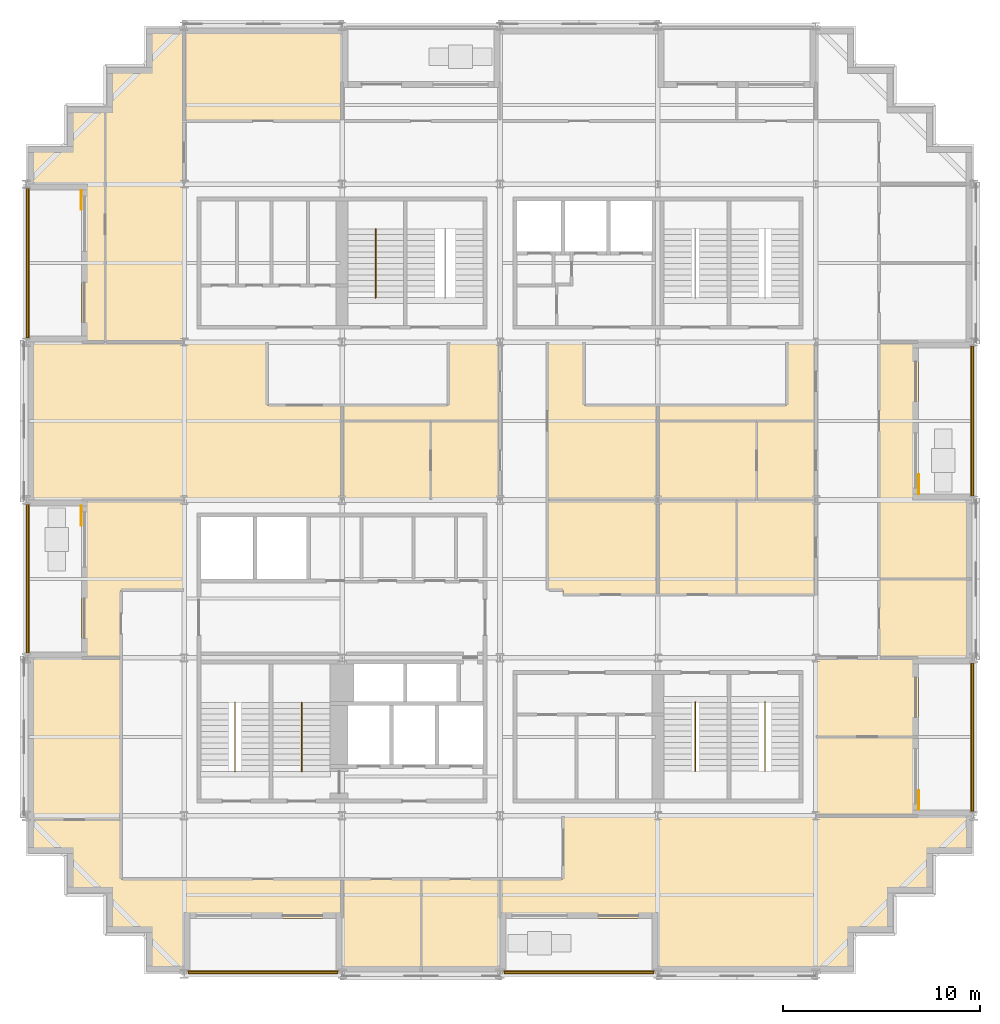
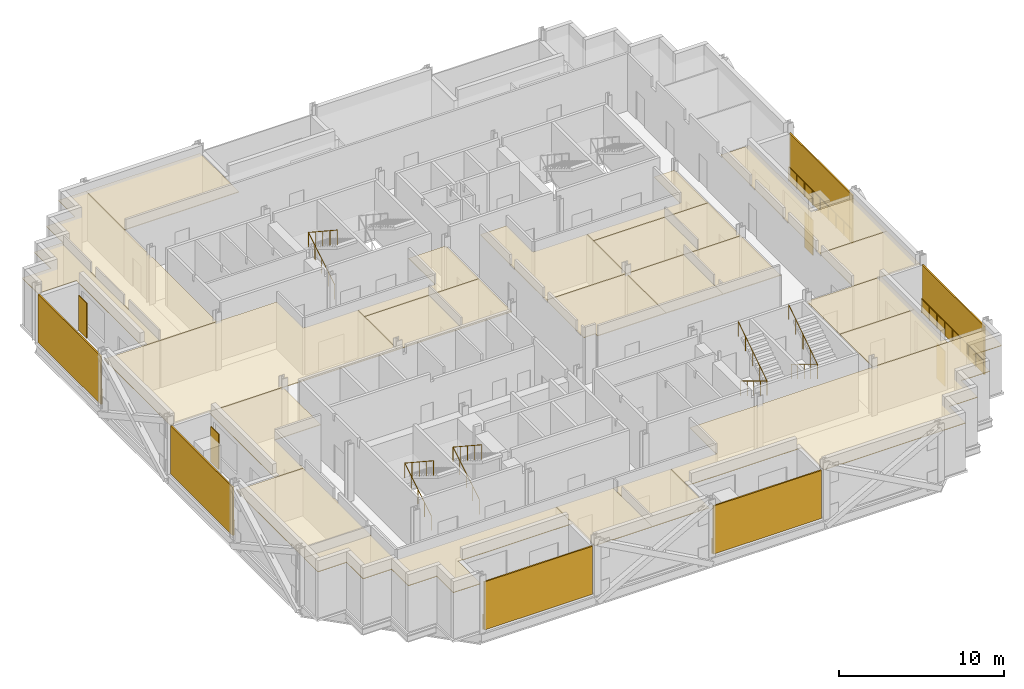
# One storey, part 13 of 15: 24 coverings, 11 railings, 10 shading devices.
"""IFC4 building model written with IfcOpenShell, lengths in metres."""

from ifc_helpers import new_model, si_unit, direction, frame, origin, origin_2d, place, context, subcontext, project, spatial, polyline, rectangle, circle, outline, extrude, material, layer, layer_set, type_object, element, save


model = new_model("IFC4")

# Units and contexts
model_context = context("Model", 3, precision=1e-05, world=origin(), true_north=direction((0.0, 1.0)))
body_context = subcontext(model_context, "Body", "Model", "MODEL_VIEW")
ifc_project = project(units=[si_unit("LENGTHUNIT", "METRE"), si_unit("AREAUNIT", "SQUARE_METRE"), si_unit("VOLUMEUNIT", "CUBIC_METRE"), si_unit("PLANEANGLEUNIT", "RADIAN"), si_unit("MASSUNIT", "GRAM", prefix="KILO")], contexts=[model_context])

# Site, building, storey
site_placement = place(None, origin())
site = spatial("IfcSite", under=ifc_project, at=site_placement, CompositionType="ELEMENT")
building_placement = place(site_placement, origin())
building = spatial("IfcBuilding", under=site, at=building_placement, Name="Immortelle Media Tower", CompositionType="ELEMENT")
storey_placement = place(building_placement, frame((0.0, 0.0, 92.0)))
storey = spatial("IfcBuildingStorey", under=building, at=storey_placement, Name="L17", CompositionType="ELEMENT", Elevation=92.0)

# Railings
ifc_material_1 = material(Name="Powder-coated aluminium fretwork panel, laminated glass backing", Category="aluminium")
railing_type_1 = type_object("IfcRailingType", Name="Fretwork balustrade 1100", PredefinedType="BALUSTRADE", material=ifc_material_1)
railing_1_placement = place(storey_placement, frame((0.139892578125, 39.800537109375, 0.0)))
element("IfcRailing", 1, at=railing_1_placement, inside=storey, type_object=railing_type_1, Name="Fretwork balustrade L17 W0", PredefinedType="BALUSTRADE", context=body_context, shape_type="SweptSolid", body=[
    extrude(circle(Radius=0.02490234375, at=origin_2d()), frame((0.0, 0.0, 1.0751953125), z_axis=(0.0, -1.0, 0.0), x_axis=(1.0, 0.0, 0.0)), (0.0, 0.0, 1.0), 7.58349609375),
    extrude(circle(Radius=0.02001953125, at=origin_2d()), origin(), (0.0, 0.0, 1.0), 1.050048828125),
    extrude(circle(Radius=0.02001953125, at=origin_2d()), frame((0.0, -0.947998046875, 0.0)), (0.0, 0.0, 1.0), 1.050048828125),
    extrude(circle(Radius=0.02001953125, at=origin_2d()), frame((0.0, -1.89599609375, 0.0)), (0.0, 0.0, 1.0), 1.050048828125),
    extrude(circle(Radius=0.02001953125, at=origin_2d()), frame((0.0, -2.84375, 0.0)), (0.0, 0.0, 1.0), 1.050048828125),
    extrude(circle(Radius=0.02001953125, at=origin_2d()), frame((0.0, -3.791748046875, 0.0)), (0.0, 0.0, 1.0), 1.050048828125),
    extrude(circle(Radius=0.02001953125, at=origin_2d()), frame((0.0, -4.73974609375, 0.0)), (0.0, 0.0, 1.0), 1.050048828125),
    extrude(circle(Radius=0.02001953125, at=origin_2d()), frame((0.0, -5.6875, 0.0)), (0.0, 0.0, 1.0), 1.050048828125),
    extrude(circle(Radius=0.02001953125, at=origin_2d()), frame((0.0, -6.635498046875, 0.0)), (0.0, 0.0, 1.0), 1.050048828125),
    extrude(circle(Radius=0.02001953125, at=origin_2d()), frame((0.0, -7.58349609375, 0.0)), (0.0, 0.0, 1.0), 1.050048828125),
])
railing_2_placement = place(storey_placement, frame((0.139892578125, 23.782958984375, 0.0)))
element("IfcRailing", 2, at=railing_2_placement, inside=storey, type_object=railing_type_1, Name="Fretwork balustrade L17 W2", PredefinedType="BALUSTRADE", context=body_context, shape_type="SweptSolid", body=[
    extrude(circle(Radius=0.02490234375, at=origin_2d()), frame((0.0, 0.0, 1.0751953125), z_axis=(0.0, -1.0, 0.0), x_axis=(1.0, 0.0, 0.0)), (0.0, 0.0, 1.0), 7.533935546875),
    extrude(circle(Radius=0.02001953125, at=origin_2d()), origin(), (0.0, 0.0, 1.0), 1.050048828125),
    extrude(circle(Radius=0.02001953125, at=origin_2d()), frame((0.0, -0.941650390625, 0.0)), (0.0, 0.0, 1.0), 1.050048828125),
    extrude(circle(Radius=0.02001953125, at=origin_2d()), frame((0.0, -1.883544921875, 0.0)), (0.0, 0.0, 1.0), 1.050048828125),
    extrude(circle(Radius=0.02001953125, at=origin_2d()), frame((0.0, -2.8251953125, 0.0)), (0.0, 0.0, 1.0), 1.050048828125),
    extrude(circle(Radius=0.02001953125, at=origin_2d()), frame((0.0, -3.76708984375, 0.0)), (0.0, 0.0, 1.0), 1.050048828125),
    extrude(circle(Radius=0.02001953125, at=origin_2d()), frame((0.0, -4.708740234375, 0.0)), (0.0, 0.0, 1.0), 1.050048828125),
    extrude(circle(Radius=0.02001953125, at=origin_2d()), frame((0.0, -5.650390625, 0.0)), (0.0, 0.0, 1.0), 1.050048828125),
    extrude(circle(Radius=0.02001953125, at=origin_2d()), frame((0.0, -6.59228515625, 0.0)), (0.0, 0.0, 1.0), 1.050048828125),
    extrude(circle(Radius=0.02001953125, at=origin_2d()), frame((0.0, -7.533935546875, 0.0)), (0.0, 0.0, 1.0), 1.050048828125),
])
railing_3_placement = place(storey_placement, frame((8.20947265625, 0.139892578125, 0.0)))
element("IfcRailing", 3, at=railing_3_placement, inside=storey, type_object=railing_type_1, Name="Fretwork balustrade L17 S0", PredefinedType="BALUSTRADE", context=body_context, shape_type="SweptSolid", body=[
    extrude(circle(Radius=0.02490234375, at=origin_2d()), frame((0.0, 0.0, 1.0751953125), z_axis=(1.0, 0.0, 0.0), x_axis=(0.0, 1.0, 0.0)), (0.0, 0.0, 1.0), 7.574462890625),
    extrude(circle(Radius=0.02001953125, at=origin_2d()), origin(), (0.0, 0.0, 1.0), 1.050048828125),
    extrude(circle(Radius=0.02001953125, at=origin_2d()), frame((0.94677734375, 0.0, 0.0)), (0.0, 0.0, 1.0), 1.050048828125),
    extrude(circle(Radius=0.02001953125, at=origin_2d()), frame((1.8935546875, 0.0, 0.0)), (0.0, 0.0, 1.0), 1.050048828125),
    extrude(circle(Radius=0.02001953125, at=origin_2d()), frame((2.84033203125, 0.0, 0.0)), (0.0, 0.0, 1.0), 1.050048828125),
    extrude(circle(Radius=0.02001953125, at=origin_2d()), frame((3.787109375, 0.0, 0.0)), (0.0, 0.0, 1.0), 1.050048828125),
    extrude(circle(Radius=0.02001953125, at=origin_2d()), frame((4.734130859375, 0.0, 0.0)), (0.0, 0.0, 1.0), 1.050048828125),
    extrude(circle(Radius=0.02001953125, at=origin_2d()), frame((5.680908203125, 0.0, 0.0)), (0.0, 0.0, 1.0), 1.050048828125),
    extrude(circle(Radius=0.02001953125, at=origin_2d()), frame((6.627685546875, 0.0, 0.0)), (0.0, 0.0, 1.0), 1.050048828125),
    extrude(circle(Radius=0.02001953125, at=origin_2d()), frame((7.574462890625, 0.0, 0.0)), (0.0, 0.0, 1.0), 1.050048828125),
])
railing_4_placement = place(storey_placement, frame((24.216064453125, 0.139892578125, 0.0)))
element("IfcRailing", 4, at=railing_4_placement, inside=storey, type_object=railing_type_1, Name="Fretwork balustrade L17 S2", PredefinedType="BALUSTRADE", context=body_context, shape_type="SweptSolid", body=[
    extrude(circle(Radius=0.02490234375, at=origin_2d()), frame((0.0, 0.0, 1.0751953125), z_axis=(1.0, 0.0, 0.0), x_axis=(0.0, 1.0, 0.0)), (0.0, 0.0, 1.0), 7.56787109375),
    extrude(circle(Radius=0.02001953125, at=origin_2d()), origin(), (0.0, 0.0, 1.0), 1.050048828125),
    extrude(circle(Radius=0.02001953125, at=origin_2d()), frame((0.946044921875, 0.0, 0.0)), (0.0, 0.0, 1.0), 1.050048828125),
    extrude(circle(Radius=0.02001953125, at=origin_2d()), frame((1.89208984375, 0.0, 0.0)), (0.0, 0.0, 1.0), 1.050048828125),
    extrude(circle(Radius=0.02001953125, at=origin_2d()), frame((2.837890625, 0.0, 0.0)), (0.0, 0.0, 1.0), 1.050048828125),
    extrude(circle(Radius=0.02001953125, at=origin_2d()), frame((3.783935546875, 0.0, 0.0)), (0.0, 0.0, 1.0), 1.050048828125),
    extrude(circle(Radius=0.02001953125, at=origin_2d()), frame((4.72998046875, 0.0, 0.0)), (0.0, 0.0, 1.0), 1.050048828125),
    extrude(circle(Radius=0.02001953125, at=origin_2d()), frame((5.67578125, 0.0, 0.0)), (0.0, 0.0, 1.0), 1.050048828125),
    extrude(circle(Radius=0.02001953125, at=origin_2d()), frame((6.621826171875, 0.0, 0.0)), (0.0, 0.0, 1.0), 1.050048828125),
    extrude(circle(Radius=0.02001953125, at=origin_2d()), frame((7.56787109375, 0.0, 0.0)), (0.0, 0.0, 1.0), 1.050048828125),
])
railing_5_placement = place(storey_placement, frame((47.860107421875, 8.2275390625, 0.0)))
element("IfcRailing", 5, at=railing_5_placement, inside=storey, type_object=railing_type_1, Name="Fretwork balustrade L17 E0", PredefinedType="BALUSTRADE", context=body_context, shape_type="SweptSolid", body=[
    extrude(circle(Radius=0.02490234375, at=origin_2d()), frame((0.0, 0.0, 1.0751953125), z_axis=(0.0, 1.0, 0.0), x_axis=(-1.0, 0.0, 0.0)), (0.0, 0.0, 1.0), 7.5234375),
    extrude(circle(Radius=0.02001953125, at=origin_2d()), origin(), (0.0, 0.0, 1.0), 1.050048828125),
    extrude(circle(Radius=0.02001953125, at=origin_2d()), frame((0.0, 0.9404296875, 0.0)), (0.0, 0.0, 1.0), 1.050048828125),
    extrude(circle(Radius=0.02001953125, at=origin_2d()), frame((0.0, 1.880859375, 0.0)), (0.0, 0.0, 1.0), 1.050048828125),
    extrude(circle(Radius=0.02001953125, at=origin_2d()), frame((0.0, 2.8212890625, 0.0)), (0.0, 0.0, 1.0), 1.050048828125),
    extrude(circle(Radius=0.02001953125, at=origin_2d()), frame((0.0, 3.76171875, 0.0)), (0.0, 0.0, 1.0), 1.050048828125),
    extrude(circle(Radius=0.02001953125, at=origin_2d()), frame((0.0, 4.7021484375, 0.0)), (0.0, 0.0, 1.0), 1.050048828125),
    extrude(circle(Radius=0.02001953125, at=origin_2d()), frame((0.0, 5.642578125, 0.0)), (0.0, 0.0, 1.0), 1.050048828125),
    extrude(circle(Radius=0.02001953125, at=origin_2d()), frame((0.0, 6.5830078125, 0.0)), (0.0, 0.0, 1.0), 1.050048828125),
    extrude(circle(Radius=0.02001953125, at=origin_2d()), frame((0.0, 7.5234375, 0.0)), (0.0, 0.0, 1.0), 1.050048828125),
])
railing_6_placement = place(storey_placement, frame((47.860107421875, 24.193115234375, 0.0)))
element("IfcRailing", 6, at=railing_6_placement, inside=storey, type_object=railing_type_1, Name="Fretwork balustrade L17 E2", PredefinedType="BALUSTRADE", context=body_context, shape_type="SweptSolid", body=[
    extrude(circle(Radius=0.02490234375, at=origin_2d()), frame((0.0, 0.0, 1.0751953125), z_axis=(0.0, 1.0, 0.0), x_axis=(-1.0, 0.0, 0.0)), (0.0, 0.0, 1.0), 7.61376953125),
    extrude(circle(Radius=0.02001953125, at=origin_2d()), origin(), (0.0, 0.0, 1.0), 1.050048828125),
    extrude(circle(Radius=0.02001953125, at=origin_2d()), frame((0.0, 0.95166015625, 0.0)), (0.0, 0.0, 1.0), 1.050048828125),
    extrude(circle(Radius=0.02001953125, at=origin_2d()), frame((0.0, 1.9033203125, 0.0)), (0.0, 0.0, 1.0), 1.050048828125),
    extrude(circle(Radius=0.02001953125, at=origin_2d()), frame((0.0, 2.855224609375, 0.0)), (0.0, 0.0, 1.0), 1.050048828125),
    extrude(circle(Radius=0.02001953125, at=origin_2d()), frame((0.0, 3.806884765625, 0.0)), (0.0, 0.0, 1.0), 1.050048828125),
    extrude(circle(Radius=0.02001953125, at=origin_2d()), frame((0.0, 4.758544921875, 0.0)), (0.0, 0.0, 1.0), 1.050048828125),
    extrude(circle(Radius=0.02001953125, at=origin_2d()), frame((0.0, 5.71044921875, 0.0)), (0.0, 0.0, 1.0), 1.050048828125),
    extrude(circle(Radius=0.02001953125, at=origin_2d()), frame((0.0, 6.662109375, 0.0)), (0.0, 0.0, 1.0), 1.050048828125),
    extrude(circle(Radius=0.02001953125, at=origin_2d()), frame((0.0, 7.61376953125, 0.0)), (0.0, 0.0, 1.0), 1.050048828125),
])

# Shading devices
ifc_material_2 = material(Name="Pale aluminium louvre blades", Category="aluminium")
ifc_layer_1 = layer(ifc_material_2, 0.10009765625)
ifc_layer_set_1 = layer_set([ifc_layer_1], Name="Pale aluminium louvre blades")
shading_device_type_1 = type_object("IfcShadingDeviceType", Name="Jalousie screen 100", PredefinedType="JALOUSIE", material=ifc_layer_set_1)
shading_device_1_placement = place(storey_placement, frame((0.050048828125, 36.0087890625, 0.0), z_axis=(0.0, 0.0, 1.0), x_axis=(0.0, -1.0, 0.0)))
element("IfcShadingDevice", 7, at=shading_device_1_placement, inside=storey, type_object=shading_device_type_1, Name="Jalousie screen L17 W0", PredefinedType="JALOUSIE", context=body_context, shape_type="SweptSolid", body=[
    extrude(rectangle(XDim=7.58349609375, YDim=0.10009765625, at=origin_2d()), origin(), (0.0, 0.0, 1.0), 3.556884765625),
])
shading_device_2_placement = place(storey_placement, frame((0.050048828125, 20.01611328125, 0.0), z_axis=(0.0, 0.0, 1.0), x_axis=(0.0, -1.0, 0.0)))
element("IfcShadingDevice", 8, at=shading_device_2_placement, inside=storey, type_object=shading_device_type_1, Name="Jalousie screen L17 W2", PredefinedType="JALOUSIE", context=body_context, shape_type="SweptSolid", body=[
    extrude(rectangle(XDim=7.533935546875, YDim=0.10009765625, at=origin_2d()), origin(), (0.0, 0.0, 1.0), 3.556884765625),
])
shading_device_3_placement = place(storey_placement, frame((11.996826171875, 0.050048828125, 0.0), z_axis=(0.0, 0.0, 1.0), x_axis=(1.0, 0.0, 0.0)))
element("IfcShadingDevice", 9, at=shading_device_3_placement, inside=storey, type_object=shading_device_type_1, Name="Jalousie screen L17 S0", PredefinedType="JALOUSIE", context=body_context, shape_type="SweptSolid", body=[
    extrude(rectangle(XDim=7.574462890625, YDim=0.10009765625, at=origin_2d()), origin(), (0.0, 0.0, 1.0), 3.556884765625),
])
shading_device_4_placement = place(storey_placement, frame((28.0, 0.050048828125, 0.0), z_axis=(0.0, 0.0, 1.0), x_axis=(1.0, 0.0, 0.0)))
element("IfcShadingDevice", 10, at=shading_device_4_placement, inside=storey, type_object=shading_device_type_1, Name="Jalousie screen L17 S2", PredefinedType="JALOUSIE", context=body_context, shape_type="SweptSolid", body=[
    extrude(rectangle(XDim=7.568115234375, YDim=0.10009765625, at=origin_2d()), origin(), (0.0, 0.0, 1.0), 3.556884765625),
])
shading_device_5_placement = place(storey_placement, frame((47.949951171875, 11.9892578125, 0.0), z_axis=(0.0, 0.0, 1.0), x_axis=(0.0, 1.0, 0.0)))
element("IfcShadingDevice", 11, at=shading_device_5_placement, inside=storey, type_object=shading_device_type_1, Name="Jalousie screen L17 E0", PredefinedType="JALOUSIE", context=body_context, shape_type="SweptSolid", body=[
    extrude(rectangle(XDim=7.5234375, YDim=0.10009765625, at=origin_2d()), origin(), (0.0, 0.0, 1.0), 3.556884765625),
])
shading_device_6_placement = place(storey_placement, frame((47.949951171875, 28.0, 0.0), z_axis=(0.0, 0.0, 1.0), x_axis=(0.0, 1.0, 0.0)))
element("IfcShadingDevice", 12, at=shading_device_6_placement, inside=storey, type_object=shading_device_type_1, Name="Jalousie screen L17 E2", PredefinedType="JALOUSIE", context=body_context, shape_type="SweptSolid", body=[
    extrude(rectangle(XDim=7.614013671875, YDim=0.10009765625, at=origin_2d()), origin(), (0.0, 0.0, 1.0), 3.556884765625),
])
ifc_material_3 = material(Name="Pale aluminium louvre blades in a folding frame", Category="aluminium")
ifc_layer_2 = layer(ifc_material_3, 0.050048828125)
ifc_layer_set_2 = layer_set([ifc_layer_2], Name="Pale aluminium louvre blades in a folding frame")
shading_device_type_2 = type_object("IfcShadingDeviceType", Name="Louvred loggia shutter", PredefinedType="SHUTTER", material=ifc_layer_set_2)
for number, where, z_axis, x_axis, name in (
    (13, (2.77490234375, 39.199951171875, 0.0), (0.0, 0.0, 1.0), (0.0, -1.0, 0.0), "Loggia shutter L17 W0"),
    (14, (2.77490234375, 23.199951171875, 0.0), (0.0, 0.0, 1.0), (0.0, -1.0, 0.0), "Loggia shutter L17 W2"),
    (15, (45.22509765625, 8.800048828125, 0.0), (0.0, 0.0, 1.0), (0.0, 1.0, 0.0), "Loggia shutter L17 E0"),
    (16, (45.22509765625, 24.800048828125, 0.0), (0.0, 0.0, 1.0), (0.0, 1.0, 0.0), "Loggia shutter L17 E2"),
):
    element("IfcShadingDevice", number, at=place(storey_placement, frame(where, z_axis=z_axis, x_axis=x_axis)), inside=storey, type_object=shading_device_type_2, Name=name, PredefinedType="SHUTTER", context=body_context, shape_type="SweptSolid", body=[
        extrude(rectangle(XDim=1.0, YDim=0.050048828125, at=origin_2d()), origin(), (0.0, 0.0, 1.0), 2.60009765625),
    ])

# Railings
ifc_material_4 = material(Name="Stainless steel AISI 316", Category="steel")
railing_type_2 = type_object("IfcRailingType", Name="Stair guard 1100", PredefinedType="GUARDRAIL", material=ifc_material_4)
for number, where, name in (
    (17, (10.574951171875, 10.5400390625, 0.176025390625), "Stair guard SW1"),
    (18, (13.949951171875, 10.5400390625, 0.176025390625), "Stair guard SW2"),
):
    element("IfcRailing", number, at=place(storey_placement, frame(where)), inside=storey, type_object=railing_type_2, Name=name, PredefinedType="GUARDRAIL", context=body_context, shape_type="SweptSolid", body=[
        extrude(circle(Radius=0.02392578125, at=origin_2d()), frame((0.0, 0.0, 1.076171875), z_axis=(0.0, 0.854872504309, 0.518838126371), x_axis=(-1.0, 0.0, 0.0)), (0.0, 0.0, 1.0), 3.7314453125),
        extrude(circle(Radius=0.02392578125, at=origin_2d()), frame((0.0, 3.18994140625, 3.01220703125), z_axis=(0.0, -0.835595538677, 0.549345151743), x_axis=(1.0, 0.0, 0.0)), (0.0, 0.0, 1.0), 4.16455078125),
        extrude(circle(Radius=0.02099609375, at=origin_2d()), origin(), (0.0, 0.0, 1.0), 1.052001953125),
        extrude(circle(Radius=0.02099609375, at=origin_2d()), frame((0.0, 0.79736328125, 0.48388671875)), (0.0, 0.0, 1.0), 1.052001953125),
        extrude(circle(Radius=0.02099609375, at=origin_2d()), frame((0.0, 1.594970703125, 0.968017578125)), (0.0, 0.0, 1.0), 1.052001953125),
        extrude(circle(Radius=0.02099609375, at=origin_2d()), frame((0.0, 2.392578125, 1.4521484375)), (0.0, 0.0, 1.0), 1.052001953125),
        extrude(circle(Radius=0.02099609375, at=origin_2d()), frame((0.0, 3.18994140625, 1.93603515625)), (0.0, 0.0, 1.0), 1.052001953125),
        extrude(circle(Radius=0.02099609375, at=origin_2d()), frame((0.0, 2.31982421875, 2.508056640625)), (0.0, 0.0, 1.0), 1.052001953125),
        extrude(circle(Radius=0.02099609375, at=origin_2d()), frame((0.0, 1.449951171875, 3.080078125)), (0.0, 0.0, 1.0), 1.052001953125),
        extrude(circle(Radius=0.02099609375, at=origin_2d()), frame((0.0, 0.580078125, 3.65185546875)), (0.0, 0.0, 1.0), 1.052001953125),
        extrude(circle(Radius=0.02099609375, at=origin_2d()), frame((0.0, -0.2900390625, 4.223876953125)), (0.0, 0.0, 1.0), 1.052001953125),
    ])
for number, where, name in (
    (19, (33.89990234375, 13.4599609375, 0.176025390625), "Stair guard SE1"),
    (20, (37.425048828125, 13.4599609375, 0.176025390625), "Stair guard SE2"),
):
    element("IfcRailing", number, at=place(storey_placement, frame(where)), inside=storey, type_object=railing_type_2, Name=name, PredefinedType="GUARDRAIL", context=body_context, shape_type="SweptSolid", body=[
        extrude(circle(Radius=0.02392578125, at=origin_2d()), frame((0.0, 0.0, 1.076171875), z_axis=(0.0, -0.854872504309, 0.518838126371), x_axis=(1.0, 0.0, 0.0)), (0.0, 0.0, 1.0), 3.7314453125),
        extrude(circle(Radius=0.02392578125, at=origin_2d()), frame((0.0, -3.18994140625, 3.01220703125), z_axis=(0.0, 0.835595538677, 0.549345151743), x_axis=(-1.0, 0.0, 0.0)), (0.0, 0.0, 1.0), 4.16455078125),
        extrude(circle(Radius=0.02099609375, at=origin_2d()), origin(), (0.0, 0.0, 1.0), 1.052001953125),
        extrude(circle(Radius=0.02099609375, at=origin_2d()), frame((0.0, -0.79736328125, 0.48388671875)), (0.0, 0.0, 1.0), 1.052001953125),
        extrude(circle(Radius=0.02099609375, at=origin_2d()), frame((0.0, -1.594970703125, 0.968017578125)), (0.0, 0.0, 1.0), 1.052001953125),
        extrude(circle(Radius=0.02099609375, at=origin_2d()), frame((0.0, -2.392578125, 1.4521484375)), (0.0, 0.0, 1.0), 1.052001953125),
        extrude(circle(Radius=0.02099609375, at=origin_2d()), frame((0.0, -3.18994140625, 1.93603515625)), (0.0, 0.0, 1.0), 1.052001953125),
        extrude(circle(Radius=0.02099609375, at=origin_2d()), frame((0.0, -2.31982421875, 2.508056640625)), (0.0, 0.0, 1.0), 1.052001953125),
        extrude(circle(Radius=0.02099609375, at=origin_2d()), frame((0.0, -1.449951171875, 3.080078125)), (0.0, 0.0, 1.0), 1.052001953125),
        extrude(circle(Radius=0.02099609375, at=origin_2d()), frame((0.0, -0.580078125, 3.65185546875)), (0.0, 0.0, 1.0), 1.052001953125),
        extrude(circle(Radius=0.02099609375, at=origin_2d()), frame((0.0, 0.2900390625, 4.223876953125)), (0.0, 0.0, 1.0), 1.052001953125),
    ])
railing_7_placement = place(storey_placement, frame((17.699951171875, 34.5400390625, 0.176025390625)))
element("IfcRailing", 21, at=railing_7_placement, inside=storey, type_object=railing_type_2, Name="Stair guard NW1", PredefinedType="GUARDRAIL", context=body_context, shape_type="SweptSolid", body=[
    extrude(circle(Radius=0.02392578125, at=origin_2d()), frame((0.0, 0.0, 1.076171875), z_axis=(0.0, 0.854872504309, 0.518838126371), x_axis=(-1.0, 0.0, 0.0)), (0.0, 0.0, 1.0), 3.7314453125),
    extrude(circle(Radius=0.02392578125, at=origin_2d()), frame((0.0, 3.18994140625, 3.01220703125), z_axis=(0.0, -0.835595538677, 0.549345151743), x_axis=(1.0, 0.0, 0.0)), (0.0, 0.0, 1.0), 4.16455078125),
    extrude(circle(Radius=0.02099609375, at=origin_2d()), origin(), (0.0, 0.0, 1.0), 1.052001953125),
    extrude(circle(Radius=0.02099609375, at=origin_2d()), frame((0.0, 0.79736328125, 0.48388671875)), (0.0, 0.0, 1.0), 1.052001953125),
    extrude(circle(Radius=0.02099609375, at=origin_2d()), frame((0.0, 1.594970703125, 0.968017578125)), (0.0, 0.0, 1.0), 1.052001953125),
    extrude(circle(Radius=0.02099609375, at=origin_2d()), frame((0.0, 2.392578125, 1.4521484375)), (0.0, 0.0, 1.0), 1.052001953125),
    extrude(circle(Radius=0.02099609375, at=origin_2d()), frame((0.0, 3.18994140625, 1.93603515625)), (0.0, 0.0, 1.0), 1.052001953125),
    extrude(circle(Radius=0.02099609375, at=origin_2d()), frame((0.0, 2.31982421875, 2.508056640625)), (0.0, 0.0, 1.0), 1.052001953125),
    extrude(circle(Radius=0.02099609375, at=origin_2d()), frame((0.0, 1.449951171875, 3.080078125)), (0.0, 0.0, 1.0), 1.052001953125),
    extrude(circle(Radius=0.02099609375, at=origin_2d()), frame((0.0, 0.580078125, 3.65185546875)), (0.0, 0.0, 1.0), 1.052001953125),
    extrude(circle(Radius=0.02099609375, at=origin_2d()), frame((0.0, -0.2900390625, 4.223876953125)), (0.0, 0.0, 1.0), 1.052001953125),
])

# Coverings
ifc_material_5 = material(Name="Mineral fibre tile ceiling")
ifc_layer_3 = layer(ifc_material_5, 0.050048828125)
ifc_layer_set_3 = layer_set([ifc_layer_3], Name="Mineral fibre tile ceiling")
covering_type = type_object("IfcCoveringType", Name="Suspended ceiling 50", PredefinedType="CEILING", material=ifc_layer_set_3)
covering_1_placement = place(storey_placement, frame((0.0, 0.0, 3.419921875)))
element("IfcCovering", 22, at=covering_1_placement, inside=storey, type_object=covering_type, Name="Ceiling L17-001", PredefinedType="CEILING", context=body_context, shape_type="SweptSolid", body=[
    extrude(outline(polyline([(16.0, 2.800048828125), (16.0, 4.800048828125), (20.0, 4.800048828125), (20.0, 0.10009765625), (16.0, 0.10009765625), (16.0, 2.800048828125)])), origin(), (0.0, 0.0, 1.0), 0.050048828125),
])
covering_2_placement = place(storey_placement, frame((0.0, 0.0, 3.419921875)))
element("IfcCovering", 23, at=covering_2_placement, inside=storey, type_object=covering_type, Name="Ceiling L17-002", PredefinedType="CEILING", context=body_context, shape_type="SweptSolid", body=[
    extrude(outline(polyline([(24.0, 4.800048828125), (24.0, 2.800048828125), (24.0, 0.10009765625), (20.0, 0.10009765625), (20.0, 4.800048828125), (24.0, 4.800048828125)])), origin(), (0.0, 0.0, 1.0), 0.050048828125),
])
covering_3_placement = place(storey_placement, frame((0.0, 0.0, 3.419921875)))
element("IfcCovering", 24, at=covering_3_placement, inside=storey, type_object=covering_type, Name="Ceiling L17-003", PredefinedType="CEILING", context=body_context, shape_type="SweptSolid", body=[
    extrude(outline(polyline([(24.0, 2.800048828125), (24.0, 4.800048828125), (27.199951171875, 4.800048828125), (27.199951171875, 8.0), (32.0, 8.0), (40.0, 8.0), (45.199951171875, 8.0), (47.89990234375, 8.0), (47.89990234375, 6.10009765625), (45.89990234375, 6.10009765625), (45.89990234375, 4.10009765625), (43.89990234375, 4.10009765625), (43.89990234375, 2.10009765625), (41.89990234375, 2.10009765625), (41.89990234375, 0.10009765625), (40.0, 0.10009765625), (32.0, 0.10009765625), (32.0, 2.800048828125), (24.0, 2.800048828125)])), origin(), (0.0, 0.0, 1.0), 0.050048828125),
])
covering_4_placement = place(storey_placement, frame((0.0, 0.0, 3.419921875)))
element("IfcCovering", 25, at=covering_4_placement, inside=storey, type_object=covering_type, Name="Ceiling L17-004", PredefinedType="CEILING", context=body_context, shape_type="SweptSolid", body=[
    extrude(outline(polyline([(8.0, 2.800048828125), (8.0, 0.10009765625), (6.10009765625, 0.10009765625), (6.10009765625, 2.10009765625), (4.10009765625, 2.10009765625), (4.10009765625, 4.10009765625), (2.10009765625, 4.10009765625), (2.10009765625, 6.10009765625), (0.10009765625, 6.10009765625), (0.10009765625, 7.800048828125), (4.800048828125, 7.800048828125), (4.800048828125, 4.800048828125), (8.0, 4.800048828125), (16.0, 4.800048828125), (16.0, 2.800048828125), (8.0, 2.800048828125)])), origin(), (0.0, 0.0, 1.0), 0.050048828125),
])
covering_5_placement = place(storey_placement, frame((0.0, 0.0, 3.419921875)))
element("IfcCovering", 26, at=covering_5_placement, inside=storey, type_object=covering_type, Name="Ceiling L17-005", PredefinedType="CEILING", context=body_context, shape_type="SweptSolid", body=[
    extrude(outline(polyline([(0.10009765625, 8.0), (0.10009765625, 16.0), (2.800048828125, 16.0), (4.800048828125, 16.0), (4.800048828125, 8.0), (4.800048828125, 7.800048828125), (0.10009765625, 7.800048828125), (0.10009765625, 8.0)])), origin(), (0.0, 0.0, 1.0), 0.050048828125),
])
covering_6_placement = place(storey_placement, frame((0.0, 0.0, 3.419921875)))
element("IfcCovering", 27, at=covering_6_placement, inside=storey, type_object=covering_type, Name="Ceiling L17-006", PredefinedType="CEILING", context=body_context, shape_type="SweptSolid", body=[
    extrude(outline(polyline([(40.0, 16.0), (43.199951171875, 16.0), (45.199951171875, 16.0), (45.199951171875, 12.0), (40.0, 12.0), (40.0, 16.0)])), origin(), (0.0, 0.0, 1.0), 0.050048828125),
])
covering_7_placement = place(storey_placement, frame((0.0, 0.0, 3.419921875)))
element("IfcCovering", 28, at=covering_7_placement, inside=storey, type_object=covering_type, Name="Ceiling L17-007", PredefinedType="CEILING", context=body_context, shape_type="SweptSolid", body=[
    extrude(outline(polyline([(40.0, 8.0), (40.0, 12.0), (45.199951171875, 12.0), (45.199951171875, 8.0), (40.0, 8.0)])), origin(), (0.0, 0.0, 1.0), 0.050048828125),
])
covering_8_placement = place(storey_placement, frame((0.0, 0.0, 3.419921875)))
element("IfcCovering", 29, at=covering_8_placement, inside=storey, type_object=covering_type, Name="Ceiling L17-008", PredefinedType="CEILING", context=body_context, shape_type="SweptSolid", body=[
    extrude(outline(polyline([(2.800048828125, 16.0), (2.800048828125, 20.0), (2.800048828125, 24.0), (8.0, 24.0), (8.0, 20.0), (8.0, 19.449951171875), (4.800048828125, 19.449951171875), (4.800048828125, 16.0), (2.800048828125, 16.0)])), origin(), (0.0, 0.0, 1.0), 0.050048828125),
])
covering_9_placement = place(storey_placement, frame((0.0, 0.0, 3.419921875)))
element("IfcCovering", 30, at=covering_9_placement, inside=storey, type_object=covering_type, Name="Ceiling L17-009", PredefinedType="CEILING", context=body_context, shape_type="SweptSolid", body=[
    extrude(outline(polyline([(32.0, 19.199951171875), (27.199951171875, 19.199951171875), (27.199951171875, 19.449951171875), (26.39990234375, 19.449951171875), (26.39990234375, 24.0), (32.0, 24.0), (32.0, 19.199951171875)])), origin(), (0.0, 0.0, 1.0), 0.050048828125),
])
covering_10_placement = place(storey_placement, frame((0.0, 0.0, 3.419921875)))
element("IfcCovering", 31, at=covering_10_placement, inside=storey, type_object=covering_type, Name="Ceiling L17-010", PredefinedType="CEILING", context=body_context, shape_type="SweptSolid", body=[
    extrude(outline(polyline([(32.0, 19.199951171875), (32.0, 24.0), (36.0, 24.0), (36.0, 19.199951171875), (32.0, 19.199951171875)])), origin(), (0.0, 0.0, 1.0), 0.050048828125),
])
covering_11_placement = place(storey_placement, frame((0.0, 0.0, 3.419921875)))
element("IfcCovering", 32, at=covering_11_placement, inside=storey, type_object=covering_type, Name="Ceiling L17-011", PredefinedType="CEILING", context=body_context, shape_type="SweptSolid", body=[
    extrude(outline(polyline([(36.0, 19.199951171875), (36.0, 24.0), (40.0, 24.0), (40.0, 19.199951171875), (38.550048828125, 19.199951171875), (36.0, 19.199951171875)])), origin(), (0.0, 0.0, 1.0), 0.050048828125),
])
covering_12_placement = place(storey_placement, frame((0.0, 0.0, 3.419921875)))
element("IfcCovering", 33, at=covering_12_placement, inside=storey, type_object=covering_type, Name="Ceiling L17-012", PredefinedType="CEILING", context=body_context, shape_type="SweptSolid", body=[
    extrude(outline(polyline([(43.199951171875, 20.0), (47.89990234375, 20.0), (47.89990234375, 16.0), (45.199951171875, 16.0), (43.199951171875, 16.0), (43.199951171875, 20.0)])), origin(), (0.0, 0.0, 1.0), 0.050048828125),
])
covering_13_placement = place(storey_placement, frame((0.0, 0.0, 3.419921875)))
element("IfcCovering", 34, at=covering_13_placement, inside=storey, type_object=covering_type, Name="Ceiling L17-013", PredefinedType="CEILING", context=body_context, shape_type="SweptSolid", body=[
    extrude(outline(polyline([(43.199951171875, 24.0), (43.199951171875, 32.0), (45.199951171875, 32.0), (45.199951171875, 24.0), (47.89990234375, 24.0), (47.89990234375, 20.0), (43.199951171875, 20.0), (43.199951171875, 24.0)])), origin(), (0.0, 0.0, 1.0), 0.050048828125),
])
covering_14_placement = place(storey_placement, frame((0.0, 0.0, 3.419921875)))
element("IfcCovering", 35, at=covering_14_placement, inside=storey, type_object=covering_type, Name="Ceiling L17-014", PredefinedType="CEILING", context=body_context, shape_type="SweptSolid", body=[
    extrude(outline(polyline([(40.0, 28.0), (40.0, 24.0), (37.0, 24.0), (37.0, 28.0), (40.0, 28.0)])), origin(), (0.0, 0.0, 1.0), 0.050048828125),
])
covering_15_placement = place(storey_placement, frame((0.0, 0.0, 3.419921875)))
element("IfcCovering", 36, at=covering_15_placement, inside=storey, type_object=covering_type, Name="Ceiling L17-015", PredefinedType="CEILING", context=body_context, shape_type="SweptSolid", body=[
    extrude(outline(polyline([(37.0, 28.0), (37.0, 24.0), (32.0, 24.0), (32.0, 28.0), (37.0, 28.0)])), origin(), (0.0, 0.0, 1.0), 0.050048828125),
])
covering_16_placement = place(storey_placement, frame((0.0, 0.0, 3.419921875)))
element("IfcCovering", 37, at=covering_16_placement, inside=storey, type_object=covering_type, Name="Ceiling L17-016", PredefinedType="CEILING", context=body_context, shape_type="SweptSolid", body=[
    extrude(outline(polyline([(32.0, 28.800048828125), (38.550048828125, 28.800048828125), (38.550048828125, 32.0), (40.0, 32.0), (40.0, 28.0), (32.0, 28.0), (32.0, 28.800048828125)])), origin(), (0.0, 0.0, 1.0), 0.050048828125),
])
covering_17_placement = place(storey_placement, frame((0.0, 0.0, 3.419921875)))
element("IfcCovering", 38, at=covering_17_placement, inside=storey, type_object=covering_type, Name="Ceiling L17-017", PredefinedType="CEILING", context=body_context, shape_type="SweptSolid", body=[
    extrude(outline(polyline([(24.0, 28.0), (24.0, 24.0), (20.5, 24.0), (20.5, 28.0), (24.0, 28.0)])), origin(), (0.0, 0.0, 1.0), 0.050048828125),
])
covering_18_placement = place(storey_placement, frame((0.0, 0.0, 3.419921875)))
element("IfcCovering", 39, at=covering_18_placement, inside=storey, type_object=covering_type, Name="Ceiling L17-018", PredefinedType="CEILING", context=body_context, shape_type="SweptSolid", body=[
    extrude(outline(polyline([(20.5, 28.0), (20.5, 24.0), (16.0, 24.0), (16.0, 28.0), (20.5, 28.0)])), origin(), (0.0, 0.0, 1.0), 0.050048828125),
])
covering_19_placement = place(storey_placement, frame((0.0, 0.0, 3.419921875)))
element("IfcCovering", 40, at=covering_19_placement, inside=storey, type_object=covering_type, Name="Ceiling L17-019", PredefinedType="CEILING", context=body_context, shape_type="SweptSolid", body=[
    extrude(outline(polyline([(16.0, 28.800048828125), (21.39990234375, 28.800048828125), (21.39990234375, 32.0), (24.0, 32.0), (24.0, 28.0), (16.0, 28.0), (16.0, 28.800048828125)])), origin(), (0.0, 0.0, 1.0), 0.050048828125),
])
covering_20_placement = place(storey_placement, frame((0.0, 0.0, 3.419921875)))
element("IfcCovering", 41, at=covering_20_placement, inside=storey, type_object=covering_type, Name="Ceiling L17-020", PredefinedType="CEILING", context=body_context, shape_type="SweptSolid", body=[
    extrude(outline(polyline([(26.39990234375, 24.0), (26.39990234375, 32.0), (28.25, 32.0), (28.25, 28.800048828125), (32.0, 28.800048828125), (32.0, 24.0), (26.39990234375, 24.0)])), origin(), (0.0, 0.0, 1.0), 0.050048828125),
])
covering_21_placement = place(storey_placement, frame((0.0, 0.0, 3.419921875)))
element("IfcCovering", 42, at=covering_21_placement, inside=storey, type_object=covering_type, Name="Ceiling L17-021", PredefinedType="CEILING", context=body_context, shape_type="SweptSolid", body=[
    extrude(outline(polyline([(0.10009765625, 24.0), (0.10009765625, 32.0), (2.800048828125, 32.0), (8.0, 32.0), (12.199951171875, 32.0), (12.199951171875, 28.800048828125), (16.0, 28.800048828125), (16.0, 24.0), (8.0, 24.0), (2.800048828125, 24.0), (0.10009765625, 24.0)])), origin(), (0.0, 0.0, 1.0), 0.050048828125),
])
covering_22_placement = place(storey_placement, frame((0.0, 0.0, 3.419921875)))
element("IfcCovering", 43, at=covering_22_placement, inside=storey, type_object=covering_type, Name="Ceiling L17-024", PredefinedType="CEILING", context=body_context, shape_type="SweptSolid", body=[
    extrude(outline(polyline([(4.10009765625, 43.89990234375), (4.10009765625, 45.89990234375), (6.10009765625, 45.89990234375), (6.10009765625, 47.89990234375), (8.0, 47.89990234375), (8.0, 43.199951171875), (8.0, 40.0), (8.0, 32.0), (4.0, 32.0), (4.0, 43.89990234375), (4.10009765625, 43.89990234375)])), origin(), (0.0, 0.0, 1.0), 0.050048828125),
])
covering_23_placement = place(storey_placement, frame((0.0, 0.0, 3.419921875)))
element("IfcCovering", 44, at=covering_23_placement, inside=storey, type_object=covering_type, Name="Ceiling L17-025", PredefinedType="CEILING", context=body_context, shape_type="SweptSolid", body=[
    extrude(outline(polyline([(2.800048828125, 40.0), (0.10009765625, 40.0), (0.10009765625, 41.89990234375), (2.10009765625, 41.89990234375), (2.10009765625, 43.89990234375), (4.0, 43.89990234375), (4.0, 32.0), (2.800048828125, 32.0), (2.800048828125, 40.0)])), origin(), (0.0, 0.0, 1.0), 0.050048828125),
])
covering_24_placement = place(storey_placement, frame((0.0, 0.0, 3.419921875)))
element("IfcCovering", 45, at=covering_24_placement, inside=storey, type_object=covering_type, Name="Ceiling L17-027", PredefinedType="CEILING", context=body_context, shape_type="SweptSolid", body=[
    extrude(outline(polyline([(8.0, 43.199951171875), (8.0, 47.89990234375), (16.0, 47.89990234375), (16.0, 45.199951171875), (16.0, 43.199951171875), (8.0, 43.199951171875)])), origin(), (0.0, 0.0, 1.0), 0.050048828125),
])

save(model, "model.ifc")
